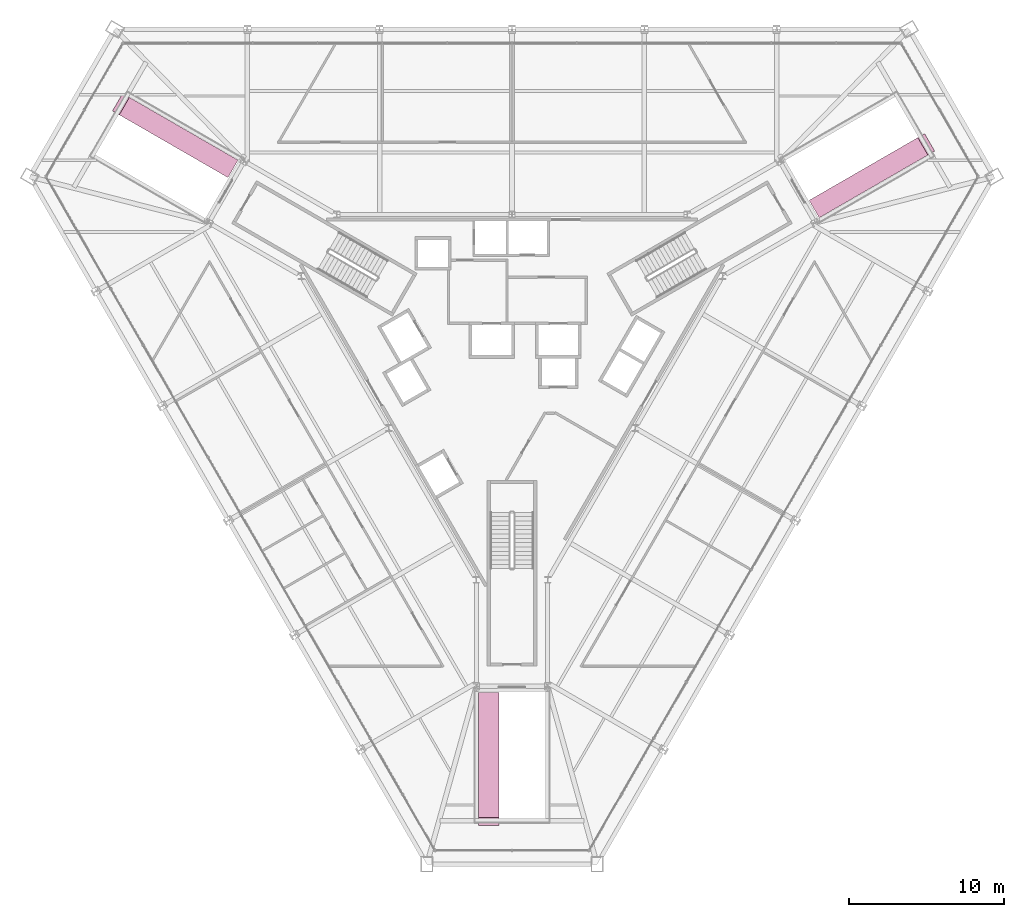
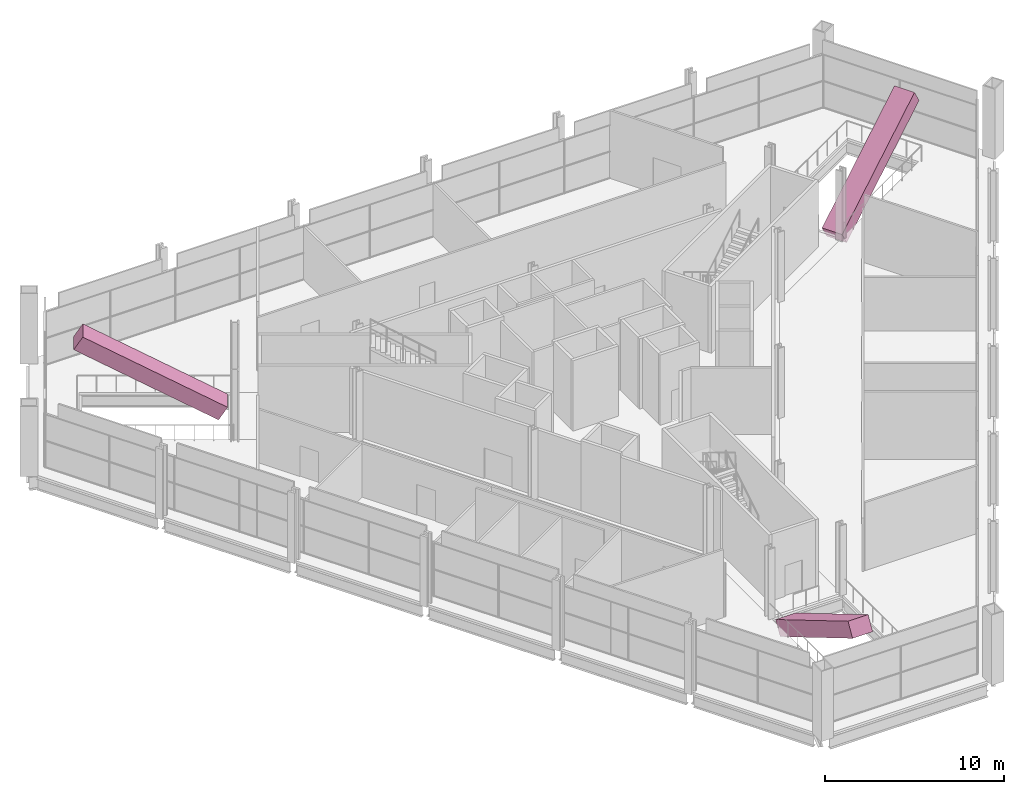
# One storey, part 18 of 18: 3 transport elements.
"""IFC4 building model written with IfcOpenShell, lengths in metres."""

from ifc_helpers import new_model, si_unit, direction, frame, origin, place, context, subcontext, project, spatial, polyline, outline, extrude, material, type_object, element, save


model = new_model("IFC4")

# Units and contexts
model_context = context("Model", 3, precision=1e-05, world=origin(), true_north=direction((0.0, 1.0)))
body_context = subcontext(model_context, "Body", "Model", "MODEL_VIEW")
ifc_project = project(units=[si_unit("LENGTHUNIT", "METRE"), si_unit("AREAUNIT", "SQUARE_METRE"), si_unit("VOLUMEUNIT", "CUBIC_METRE"), si_unit("PLANEANGLEUNIT", "RADIAN"), si_unit("MASSUNIT", "GRAM", prefix="KILO")], contexts=[model_context])

# Site, building, storey
site_placement = place(None, origin())
site = spatial("IfcSite", under=ifc_project, at=site_placement, CompositionType="ELEMENT")
building_placement = place(site_placement, origin())
building = spatial("IfcBuilding", under=site, at=building_placement, Name="Verrane Prism Tower", CompositionType="ELEMENT")
storey_placement = place(building_placement, frame((0.0, 0.0, 22.39990234375)))
storey = spatial("IfcBuildingStorey", under=building, at=storey_placement, Name="L03", CompositionType="ELEMENT", Elevation=22.39990234375)

# Transport elements
ifc_material = material(Name="Painted steel escalator truss", Category="steel")
transport_element_type = type_object("IfcTransportElementType", Name="ESC-1300 escalator truss 1000 deep", PredefinedType="ESCALATOR", material=ifc_material)
transport_element_1_placement = place(storey_placement, frame((19.859130859375, 8.983154296875, 0.0), z_axis=(-0.441069709541, -0.254731866516, 0.86056329663), x_axis=(0.745272062645, 0.430277519761, 0.509343507497)))
element("IfcTransportElement", 1, at=transport_element_1_placement, inside=storey, type_object=transport_element_type, Name="Escalator EW1 L03 to L04", PredefinedType="ESCALATOR", context=body_context, shape_type="SweptSolid", body=[
    extrude(outline(polyline([(0.0, 0.0), (9.423991387885081, 2.1250362580715887e-17), (9.423832730851915, 1.2999861197850042), (-0.00015865703316675361, 1.2999861197850042), (0.0, 0.0)])), origin(), (0.0, 0.0, -1.0), 1.0),
])
transport_element_2_placement = place(storey_placement, frame((-17.708984375, 12.70703125, 0.0), z_axis=(0.441079210171, -0.254709733641, 0.860564978339), x_axis=(-0.745273517898, 0.430278360125, 0.509340668245)))
element("IfcTransportElement", 2, at=transport_element_2_placement, inside=storey, type_object=transport_element_type, Name="Escalator EW2 L03 to L04", PredefinedType="ESCALATOR", context=body_context, shape_type="SweptSolid", body=[
    extrude(outline(polyline([(0.0, 0.0), (9.42399138783379, -4.50865473428097e-16), (9.42415004496954, 1.299986119413163), (5.360870798598594e-05, 1.300197549068545), (0.0, 0.0)])), origin(), (0.0, 0.0, -1.0), 1.0),
])
transport_element_3_placement = place(storey_placement, frame((-2.14990234375, -21.68994140625, 0.0), z_axis=(0.0, 0.509335772549, 0.860567876929), x_axis=(0.0, -0.860567876929, 0.509335772549)))
element("IfcTransportElement", 3, at=transport_element_3_placement, inside=storey, type_object=transport_element_type, Name="Escalator EW3 L03 to L04", PredefinedType="ESCALATOR", context=body_context, shape_type="SweptSolid", body=[
    extrude(outline(polyline([(0.0, 0.0), (9.424134503854248, 0.0), (9.424134503854248, 1.2998046875), (0.0, 1.2998046875), (0.0, 0.0)])), origin(), (0.0, 0.0, -1.0), 1.0),
])

save(model, "model.ifc")
